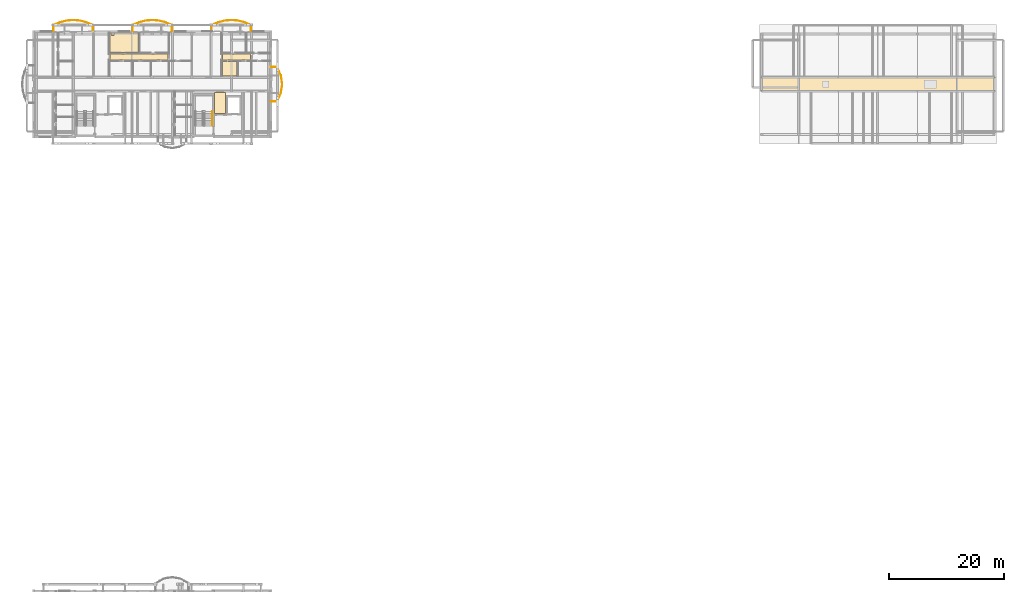
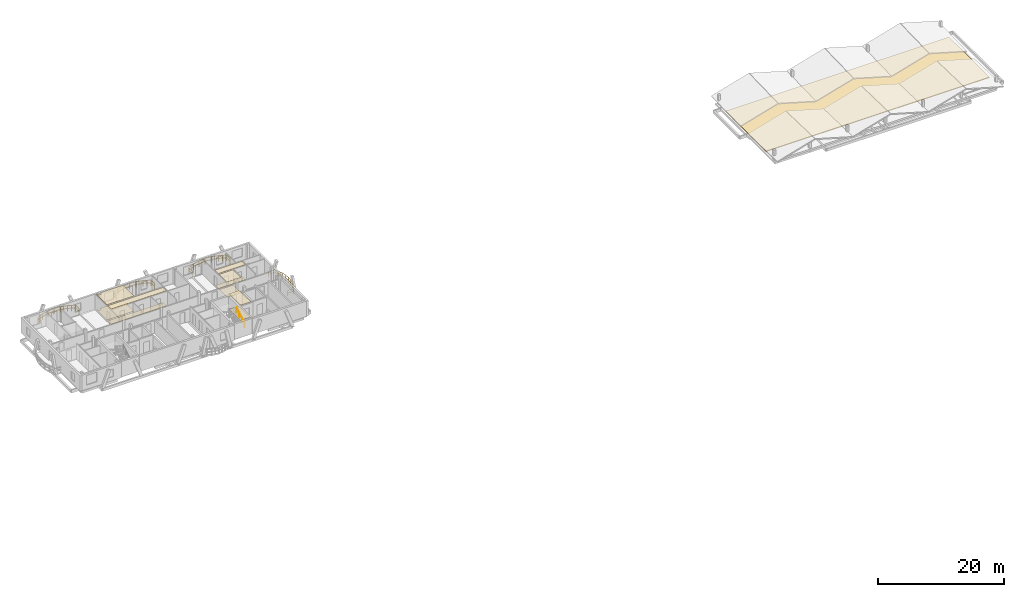
# One storey, part 21 of 21: 11 coverings, 5 railings.
"""IFC4 building model written with IfcOpenShell, lengths in metres."""

from ifc_helpers import new_model, si_unit, direction, frame, origin, origin_2d, place, context, subcontext, project, spatial, polyline, rectangle, outline, extrude, material, layer, layer_set, type_object, element, save


model = new_model("IFC4")

# Units and contexts
model_context = context("Model", 3, precision=1e-05, world=origin(), true_north=direction((0.0, 1.0)))
body_context = subcontext(model_context, "Body", "Model", "MODEL_VIEW")
ifc_project = project(units=[si_unit("LENGTHUNIT", "METRE"), si_unit("AREAUNIT", "SQUARE_METRE"), si_unit("VOLUMEUNIT", "CUBIC_METRE"), si_unit("PLANEANGLEUNIT", "RADIAN"), si_unit("MASSUNIT", "GRAM", prefix="KILO")], contexts=[model_context])

# Site, building, storey
site_placement = place(None, origin())
site = spatial("IfcSite", under=ifc_project, at=site_placement, CompositionType="ELEMENT")
building_placement = place(site_placement, origin())
building = spatial("IfcBuilding", under=site, at=building_placement, Name="Zavelmont Quarter", CompositionType="ELEMENT")
storey_placement = place(building_placement, frame((0.0, 0.0, 36.800048828125)))
storey = spatial("IfcBuildingStorey", under=building, at=storey_placement, Name="L11", CompositionType="ELEMENT", Elevation=36.800048828125)

# Coverings
ifc_material_1 = material(Name="Perforated acoustic gypsum board")
ifc_layer_1 = layer(ifc_material_1, 0.02490234375)
ifc_layer_set_1 = layer_set([ifc_layer_1], Name="Perforated acoustic gypsum board")
covering_type_1 = type_object("IfcCoveringType", Name="CV-CL01", PredefinedType="CEILING", material=ifc_layer_set_1)
covering_1_placement = place(storey_placement, frame((0.0, 0.0, 2.945068359375)))
element("IfcCovering", 1, at=covering_1_placement, inside=storey, type_object=covering_type_1, Name="L11 Lobby Vestibule acoustic ceiling", PredefinedType="CEILING", context=body_context, shape_type="SweptSolid", body=[
    extrude(outline(polyline([(31.580078125, 105.320068359375), (33.469970703125, 105.320068359375), (33.469970703125, 101.679931640625), (31.580078125, 101.679931640625), (31.580078125, 105.320068359375)])), origin(), (0.0, 0.0, 1.0), 0.02490234375),
])
covering_2_placement = place(storey_placement, frame((0.0, 0.0, 2.945068359375)))
element("IfcCovering", 2, at=covering_2_placement, inside=storey, type_object=covering_type_1, Name="L11 Single Bedroom acoustic ceiling", PredefinedType="CEILING", context=body_context, shape_type="SweptSolid", body=[
    extrude(outline(polyline([(13.330078125, 115.719970703125), (13.56005859375, 115.719970703125), (13.56005859375, 115.320068359375), (14.0400390625, 115.320068359375), (14.0400390625, 115.719970703125), (18.27001953125, 115.719970703125), (18.27001953125, 112.330078125), (13.330078125, 112.330078125), (13.330078125, 115.719970703125)])), origin(), (0.0, 0.0, 1.0), 0.02490234375),
])
covering_3_placement = place(storey_placement, frame((0.0, 0.0, 2.945068359375)))
element("IfcCovering", 3, at=covering_3_placement, inside=storey, type_object=covering_type_1, Name="L11 Kitchen acoustic ceiling", PredefinedType="CEILING", context=body_context, shape_type="SweptSolid", body=[
    extrude(outline(polyline([(32.929931640625, 110.719970703125), (35.469970703125, 110.719970703125), (35.469970703125, 108.22998046875), (34.739990234375, 108.22998046875), (34.739990234375, 108.239990234375), (34.260009765625, 108.239990234375), (34.260009765625, 108.22998046875), (32.929931640625, 108.22998046875), (32.929931640625, 110.719970703125)])), origin(), (0.0, 0.0, 1.0), 0.02490234375),
])
ifc_material_2 = material(Name="Slatted European ash acoustic baffle ceiling")
ifc_layer_2 = layer(ifc_material_2, 0.0400390625)
ifc_layer_set_2 = layer_set([ifc_layer_2], Name="Slatted European ash acoustic baffle ceiling")
covering_type_2 = type_object("IfcCoveringType", Name="CV-CL02", PredefinedType="CEILING", material=ifc_layer_set_2)
covering_4_placement = place(storey_placement, frame((0.0, 0.0, 2.929931640625)))
element("IfcCovering", 4, at=covering_4_placement, inside=storey, type_object=covering_type_2, Name="L11 Apartment Hall acoustic ceiling", PredefinedType="CEILING", context=body_context, shape_type="SweptSolid", body=[
    extrude(outline(polyline([(13.330078125, 112.070068359375), (23.469970703125, 112.070068359375), (23.469970703125, 110.97998046875), (13.330078125, 110.97998046875), (13.330078125, 112.070068359375)])), origin(), (0.0, 0.0, 1.0), 0.0400390625),
])
covering_5_placement = place(storey_placement, frame((0.0, 0.0, 2.929931640625)))
element("IfcCovering", 5, at=covering_5_placement, inside=storey, type_object=covering_type_2, Name="L11 Apartment Hall acoustic ceiling", PredefinedType="CEILING", context=body_context, shape_type="SweptSolid", body=[
    extrude(outline(polyline([(32.929931640625, 112.070068359375), (37.8701171875, 112.070068359375), (37.8701171875, 110.97998046875), (32.929931640625, 110.97998046875), (32.929931640625, 112.070068359375)])), origin(), (0.0, 0.0, 1.0), 0.0400390625),
])
ifc_material_3 = material(Name="Engineered European oak parquet")
ifc_layer_3 = layer(ifc_material_3, 0.02197265625)
ifc_layer_set_3 = layer_set([ifc_layer_3], Name="Engineered European oak parquet")
covering_type_3 = type_object("IfcCoveringType", Name="CV-FL01", PredefinedType="FLOORING", material=ifc_layer_set_3)
covering_6_placement = place(storey_placement, origin())
element("IfcCovering", 6, at=covering_6_placement, inside=storey, type_object=covering_type_3, Name="L11 Lobby Vestibule floor finish", PredefinedType="FLOORING", context=body_context, shape_type="SweptSolid", body=[
    extrude(outline(polyline([(31.580078125, 105.320068359375), (33.469970703125, 105.320068359375), (33.469970703125, 101.679931640625), (31.580078125, 101.679931640625), (31.580078125, 105.320068359375)])), origin(), (0.0, 0.0, 1.0), 0.02197265625),
])
covering_7_placement = place(storey_placement, origin())
element("IfcCovering", 7, at=covering_7_placement, inside=storey, type_object=covering_type_3, Name="L11 Single Bedroom floor finish", PredefinedType="FLOORING", context=body_context, shape_type="SweptSolid", body=[
    extrude(outline(polyline([(13.330078125, 115.719970703125), (13.56005859375, 115.719970703125), (13.56005859375, 115.320068359375), (14.0400390625, 115.320068359375), (14.0400390625, 115.719970703125), (18.27001953125, 115.719970703125), (18.27001953125, 112.330078125), (13.330078125, 112.330078125), (13.330078125, 115.719970703125)])), origin(), (0.0, 0.0, 1.0), 0.02197265625),
])
covering_8_placement = place(storey_placement, origin())
element("IfcCovering", 8, at=covering_8_placement, inside=storey, type_object=covering_type_3, Name="L11 Kitchen floor finish", PredefinedType="FLOORING", context=body_context, shape_type="SweptSolid", body=[
    extrude(outline(polyline([(32.929931640625, 110.719970703125), (35.469970703125, 110.719970703125), (35.469970703125, 108.22998046875), (34.739990234375, 108.22998046875), (34.739990234375, 108.239990234375), (34.260009765625, 108.239990234375), (34.260009765625, 108.22998046875), (32.929931640625, 108.22998046875), (32.929931640625, 110.719970703125)])), origin(), (0.0, 0.0, 1.0), 0.02197265625),
])
ifc_material_4 = material(Name="Honed Belgian bluestone tile", Category="masonry")
ifc_layer_4 = layer(ifc_material_4, 0.030029296875)
ifc_layer_set_4 = layer_set([ifc_layer_4], Name="Honed Belgian bluestone tile")
covering_type_4 = type_object("IfcCoveringType", Name="CV-FL02", PredefinedType="FLOORING", material=ifc_layer_set_4)
covering_9_placement = place(storey_placement, origin())
element("IfcCovering", 9, at=covering_9_placement, inside=storey, type_object=covering_type_4, Name="L11 Apartment Hall floor finish", PredefinedType="FLOORING", context=body_context, shape_type="SweptSolid", body=[
    extrude(outline(polyline([(13.330078125, 112.070068359375), (23.469970703125, 112.070068359375), (23.469970703125, 110.97998046875), (13.330078125, 110.97998046875), (13.330078125, 112.070068359375)])), origin(), (0.0, 0.0, 1.0), 0.030029296875),
])
covering_10_placement = place(storey_placement, origin())
element("IfcCovering", 10, at=covering_10_placement, inside=storey, type_object=covering_type_4, Name="L11 Apartment Hall floor finish", PredefinedType="FLOORING", context=body_context, shape_type="SweptSolid", body=[
    extrude(outline(polyline([(32.929931640625, 112.070068359375), (37.8701171875, 112.070068359375), (37.8701171875, 110.97998046875), (32.929931640625, 110.97998046875), (32.929931640625, 112.070068359375)])), origin(), (0.0, 0.0, 1.0), 0.030029296875),
])
ifc_material_5 = material(Name="EPDM waterproofing membrane and mineral insulation")
ifc_layer_5 = layer(ifc_material_5, 0.139892578125)
ifc_layer_set_5 = layer_set([ifc_layer_5], Name="EPDM waterproofing membrane and mineral insulation")
covering_type_5 = type_object("IfcCoveringType", Name="CV-RF01", PredefinedType="ROOFING", material=ifc_layer_set_5)
covering_11_placement = place(storey_placement, origin())
element("IfcCovering", 11, at=covering_11_placement, inside=storey, type_object=covering_type_5, Name="L11 roof build-up CV-RF01", PredefinedType="ROOFING", context=body_context, shape_type="SweptSolid", body=[
    extrude(outline(polyline([(126.89990234375, 100.39990234375), (167.699951171875, 100.39990234375), (167.699951171875, 113.199951171875), (126.89990234375, 113.199951171875), (126.89990234375, 100.39990234375)])), origin(), (0.0, 0.0, 1.0), 0.139892578125),
])

# Railings
ifc_material_6 = material(Name="Powder-coated steel and tempered double safety glass", Category="steel")
railing_type_1 = type_object("IfcRailingType", Name="RL-BAL1", PredefinedType="BALUSTRADE", material=ifc_material_6)
railing_1_placement = place(storey_placement, frame((10.33544921875, 116.02001953125, 0.0)))
element("IfcRailing", 12, at=railing_1_placement, inside=storey, type_object=railing_type_1, Name="L11 Block B curved balcony guard RL-BAL1", PredefinedType="BALUSTRADE", context=body_context, shape_type="SweptSolid", body=[
    extrude(rectangle(XDim=0.048095703125, YDim=0.048095703125, at=origin_2d()), frame((0.0, 0.0, 1.076171875), z_axis=(0.0, 1.0, 0.0), x_axis=(-1.0, 0.0, 0.0)), (0.0, 0.0, 1.0), 1.087646484375),
    extrude(rectangle(XDim=0.048095703125, YDim=0.048095703125, at=origin_2d()), frame((0.0, 0.0, 0.550048828125), z_axis=(0.0, 1.0, 0.0), x_axis=(-1.0, 0.0, 0.0)), (0.0, 0.0, 1.0), 1.087646484375),
    extrude(rectangle(XDim=0.048095703125, YDim=0.048095703125, at=origin_2d()), frame((0.0, 1.087646484375, 1.076171875), z_axis=(-0.921224538589, 0.3890312963, 0.0), x_axis=(-0.3890312963, -0.921224538589, 0.0)), (0.0, 0.0, 1.0), 1.2431640625),
    extrude(rectangle(XDim=0.048095703125, YDim=0.048095703125, at=origin_2d()), frame((0.0, 1.087646484375, 0.550048828125), z_axis=(-0.921224538589, 0.3890312963, 0.0), x_axis=(-0.3890312963, -0.921224538589, 0.0)), (0.0, 0.0, 1.0), 1.2431640625),
    extrude(rectangle(XDim=0.048095703125, YDim=0.048095703125, at=origin_2d()), frame((-1.145263671875, 1.5712890625, 1.076171875), z_axis=(-0.96938399758, 0.245549720496, 0.0), x_axis=(-0.245549720496, -0.96938399758, 0.0)), (0.0, 0.0, 1.0), 1.18115234375),
    extrude(rectangle(XDim=0.048095703125, YDim=0.048095703125, at=origin_2d()), frame((-1.145263671875, 1.5712890625, 0.550048828125), z_axis=(-0.96938399758, 0.245549720496, 0.0), x_axis=(-0.245549720496, -0.96938399758, 0.0)), (0.0, 0.0, 1.0), 1.18115234375),
    extrude(rectangle(XDim=0.048095703125, YDim=0.048095703125, at=origin_2d()), frame((-2.290283203125, 1.861328125, 1.076171875), z_axis=(-0.996455818964, 0.084117779644, 0.0), x_axis=(-0.084117779644, -0.996455818964, 0.0)), (0.0, 0.0, 1.0), 1.1494140625),
    extrude(rectangle(XDim=0.048095703125, YDim=0.048095703125, at=origin_2d()), frame((-2.290283203125, 1.861328125, 0.550048828125), z_axis=(-0.996455818964, 0.084117779644, 0.0), x_axis=(-0.084117779644, -0.996455818964, 0.0)), (0.0, 0.0, 1.0), 1.1494140625),
    extrude(rectangle(XDim=0.048095703125, YDim=0.048095703125, at=origin_2d()), frame((-3.435546875, 1.9580078125, 1.076171875), z_axis=(-0.996454315455, -0.084135588256, 0.0), x_axis=(0.084135588256, -0.996454315455, 0.0)), (0.0, 0.0, 1.0), 1.149169921875),
    extrude(rectangle(XDim=0.048095703125, YDim=0.048095703125, at=origin_2d()), frame((-3.435546875, 1.9580078125, 0.550048828125), z_axis=(-0.996454315455, -0.084135588256, 0.0), x_axis=(0.084135588256, -0.996454315455, 0.0)), (0.0, 0.0, 1.0), 1.149169921875),
    extrude(rectangle(XDim=0.048095703125, YDim=0.048095703125, at=origin_2d()), frame((-4.58056640625, 1.861328125, 1.076171875), z_axis=(-0.969396456241, -0.245500530807, 0.0), x_axis=(0.245500530807, -0.969396456241, 0.0)), (0.0, 0.0, 1.0), 1.181396484375),
    extrude(rectangle(XDim=0.048095703125, YDim=0.048095703125, at=origin_2d()), frame((-4.58056640625, 1.861328125, 0.550048828125), z_axis=(-0.969396456241, -0.245500530807, 0.0), x_axis=(0.245500530807, -0.969396456241, 0.0)), (0.0, 0.0, 1.0), 1.181396484375),
    extrude(rectangle(XDim=0.048095703125, YDim=0.048095703125, at=origin_2d()), frame((-5.725830078125, 1.5712890625, 1.076171875), z_axis=(-0.92119480913, -0.389101688035, 0.0), x_axis=(0.389101688035, -0.92119480913, 0.0)), (0.0, 0.0, 1.0), 1.242919921875),
    extrude(rectangle(XDim=0.048095703125, YDim=0.048095703125, at=origin_2d()), frame((-5.725830078125, 1.5712890625, 0.550048828125), z_axis=(-0.92119480913, -0.389101688035, 0.0), x_axis=(0.389101688035, -0.92119480913, 0.0)), (0.0, 0.0, 1.0), 1.242919921875),
    extrude(rectangle(XDim=0.048095703125, YDim=0.048095703125, at=origin_2d()), frame((-6.870849609375, 1.087646484375, 1.076171875), z_axis=(0.0, -1.0, 0.0), x_axis=(1.0, 0.0, 0.0)), (0.0, 0.0, 1.0), 1.087646484375),
    extrude(rectangle(XDim=0.048095703125, YDim=0.048095703125, at=origin_2d()), frame((-6.870849609375, 1.087646484375, 0.550048828125), z_axis=(0.0, -1.0, 0.0), x_axis=(1.0, 0.0, 0.0)), (0.0, 0.0, 1.0), 1.087646484375),
    extrude(rectangle(XDim=0.0419921875, YDim=0.0419921875, at=origin_2d()), origin(), (0.0, 0.0, 1.0), 1.052001953125),
    extrude(rectangle(XDim=0.0419921875, YDim=0.0419921875, at=origin_2d()), frame((0.0, 1.087646484375, 0.0)), (0.0, 0.0, 1.0), 1.052001953125),
    extrude(rectangle(XDim=0.0419921875, YDim=0.0419921875, at=origin_2d()), frame((-0.57275390625, 1.32958984375, 0.0)), (0.0, 0.0, 1.0), 1.052001953125),
    extrude(rectangle(XDim=0.0419921875, YDim=0.0419921875, at=origin_2d()), frame((-1.145263671875, 1.5712890625, 0.0)), (0.0, 0.0, 1.0), 1.052001953125),
    extrude(rectangle(XDim=0.0419921875, YDim=0.0419921875, at=origin_2d()), frame((-2.290283203125, 1.861328125, 0.0)), (0.0, 0.0, 1.0), 1.052001953125),
    extrude(rectangle(XDim=0.0419921875, YDim=0.0419921875, at=origin_2d()), frame((-3.435546875, 1.9580078125, 0.0)), (0.0, 0.0, 1.0), 1.052001953125),
    extrude(rectangle(XDim=0.0419921875, YDim=0.0419921875, at=origin_2d()), frame((-4.58056640625, 1.861328125, 0.0)), (0.0, 0.0, 1.0), 1.052001953125),
    extrude(rectangle(XDim=0.0419921875, YDim=0.0419921875, at=origin_2d()), frame((-5.725830078125, 1.5712890625, 0.0)), (0.0, 0.0, 1.0), 1.052001953125),
    extrude(rectangle(XDim=0.0419921875, YDim=0.0419921875, at=origin_2d()), frame((-6.29833984375, 1.32958984375, 0.0)), (0.0, 0.0, 1.0), 1.052001953125),
    extrude(rectangle(XDim=0.0419921875, YDim=0.0419921875, at=origin_2d()), frame((-6.870849609375, 1.087646484375, 0.0)), (0.0, 0.0, 1.0), 1.052001953125),
    extrude(rectangle(XDim=0.0419921875, YDim=0.0419921875, at=origin_2d()), frame((-6.870849609375, 0.0, 0.0)), (0.0, 0.0, 1.0), 1.052001953125),
])
railing_2_placement = place(storey_placement, frame((24.135498046875, 116.02001953125, 0.0)))
element("IfcRailing", 13, at=railing_2_placement, inside=storey, type_object=railing_type_1, Name="L11 Block B curved balcony guard RL-BAL1", PredefinedType="BALUSTRADE", context=body_context, shape_type="SweptSolid", body=[
    extrude(rectangle(XDim=0.048095703125, YDim=0.048095703125, at=origin_2d()), frame((0.0, 0.0, 1.076171875), z_axis=(0.0, 1.0, 0.0), x_axis=(-1.0, 0.0, 0.0)), (0.0, 0.0, 1.0), 1.087646484375),
    extrude(rectangle(XDim=0.048095703125, YDim=0.048095703125, at=origin_2d()), frame((0.0, 0.0, 0.550048828125), z_axis=(0.0, 1.0, 0.0), x_axis=(-1.0, 0.0, 0.0)), (0.0, 0.0, 1.0), 1.087646484375),
    extrude(rectangle(XDim=0.048095703125, YDim=0.048095703125, at=origin_2d()), frame((0.0, 1.087646484375, 1.076171875), z_axis=(-0.921224538589, 0.3890312963, 0.0), x_axis=(-0.3890312963, -0.921224538589, 0.0)), (0.0, 0.0, 1.0), 1.2431640625),
    extrude(rectangle(XDim=0.048095703125, YDim=0.048095703125, at=origin_2d()), frame((0.0, 1.087646484375, 0.550048828125), z_axis=(-0.921224538589, 0.3890312963, 0.0), x_axis=(-0.3890312963, -0.921224538589, 0.0)), (0.0, 0.0, 1.0), 1.2431640625),
    extrude(rectangle(XDim=0.048095703125, YDim=0.048095703125, at=origin_2d()), frame((-1.145263671875, 1.5712890625, 1.076171875), z_axis=(-0.96938399758, 0.245549720496, 0.0), x_axis=(-0.245549720496, -0.96938399758, 0.0)), (0.0, 0.0, 1.0), 1.18115234375),
    extrude(rectangle(XDim=0.048095703125, YDim=0.048095703125, at=origin_2d()), frame((-1.145263671875, 1.5712890625, 0.550048828125), z_axis=(-0.96938399758, 0.245549720496, 0.0), x_axis=(-0.245549720496, -0.96938399758, 0.0)), (0.0, 0.0, 1.0), 1.18115234375),
    extrude(rectangle(XDim=0.048095703125, YDim=0.048095703125, at=origin_2d()), frame((-2.290283203125, 1.861328125, 1.076171875), z_axis=(-0.996455818964, 0.084117779644, 0.0), x_axis=(-0.084117779644, -0.996455818964, 0.0)), (0.0, 0.0, 1.0), 1.1494140625),
    extrude(rectangle(XDim=0.048095703125, YDim=0.048095703125, at=origin_2d()), frame((-2.290283203125, 1.861328125, 0.550048828125), z_axis=(-0.996455818964, 0.084117779644, 0.0), x_axis=(-0.084117779644, -0.996455818964, 0.0)), (0.0, 0.0, 1.0), 1.1494140625),
    extrude(rectangle(XDim=0.048095703125, YDim=0.048095703125, at=origin_2d()), frame((-3.435546875, 1.9580078125, 1.076171875), z_axis=(-0.996455818964, -0.084117779644, 0.0), x_axis=(0.084117779644, -0.996455818964, 0.0)), (0.0, 0.0, 1.0), 1.1494140625),
    extrude(rectangle(XDim=0.048095703125, YDim=0.048095703125, at=origin_2d()), frame((-3.435546875, 1.9580078125, 0.550048828125), z_axis=(-0.996455818964, -0.084117779644, 0.0), x_axis=(0.084117779644, -0.996455818964, 0.0)), (0.0, 0.0, 1.0), 1.1494140625),
    extrude(rectangle(XDim=0.048095703125, YDim=0.048095703125, at=origin_2d()), frame((-4.580810546875, 1.861328125, 1.076171875), z_axis=(-0.96938399758, -0.245549720496, 0.0), x_axis=(0.245549720496, -0.96938399758, 0.0)), (0.0, 0.0, 1.0), 1.18115234375),
    extrude(rectangle(XDim=0.048095703125, YDim=0.048095703125, at=origin_2d()), frame((-4.580810546875, 1.861328125, 0.550048828125), z_axis=(-0.96938399758, -0.245549720496, 0.0), x_axis=(0.245549720496, -0.96938399758, 0.0)), (0.0, 0.0, 1.0), 1.18115234375),
    extrude(rectangle(XDim=0.048095703125, YDim=0.048095703125, at=origin_2d()), frame((-5.725830078125, 1.5712890625, 1.076171875), z_axis=(-0.921224538589, -0.3890312963, 0.0), x_axis=(0.3890312963, -0.921224538589, 0.0)), (0.0, 0.0, 1.0), 1.2431640625),
    extrude(rectangle(XDim=0.048095703125, YDim=0.048095703125, at=origin_2d()), frame((-5.725830078125, 1.5712890625, 0.550048828125), z_axis=(-0.921224538589, -0.3890312963, 0.0), x_axis=(0.3890312963, -0.921224538589, 0.0)), (0.0, 0.0, 1.0), 1.2431640625),
    extrude(rectangle(XDim=0.048095703125, YDim=0.048095703125, at=origin_2d()), frame((-6.87109375, 1.087646484375, 1.076171875), z_axis=(0.0, -1.0, 0.0), x_axis=(1.0, 0.0, 0.0)), (0.0, 0.0, 1.0), 1.087646484375),
    extrude(rectangle(XDim=0.048095703125, YDim=0.048095703125, at=origin_2d()), frame((-6.87109375, 1.087646484375, 0.550048828125), z_axis=(0.0, -1.0, 0.0), x_axis=(1.0, 0.0, 0.0)), (0.0, 0.0, 1.0), 1.087646484375),
    extrude(rectangle(XDim=0.0419921875, YDim=0.0419921875, at=origin_2d()), origin(), (0.0, 0.0, 1.0), 1.052001953125),
    extrude(rectangle(XDim=0.0419921875, YDim=0.0419921875, at=origin_2d()), frame((0.0, 1.087646484375, 0.0)), (0.0, 0.0, 1.0), 1.052001953125),
    extrude(rectangle(XDim=0.0419921875, YDim=0.0419921875, at=origin_2d()), frame((-0.57275390625, 1.32958984375, 0.0)), (0.0, 0.0, 1.0), 1.052001953125),
    extrude(rectangle(XDim=0.0419921875, YDim=0.0419921875, at=origin_2d()), frame((-1.145263671875, 1.5712890625, 0.0)), (0.0, 0.0, 1.0), 1.052001953125),
    extrude(rectangle(XDim=0.0419921875, YDim=0.0419921875, at=origin_2d()), frame((-2.290283203125, 1.861328125, 0.0)), (0.0, 0.0, 1.0), 1.052001953125),
    extrude(rectangle(XDim=0.0419921875, YDim=0.0419921875, at=origin_2d()), frame((-3.435546875, 1.9580078125, 0.0)), (0.0, 0.0, 1.0), 1.052001953125),
    extrude(rectangle(XDim=0.0419921875, YDim=0.0419921875, at=origin_2d()), frame((-4.580810546875, 1.861328125, 0.0)), (0.0, 0.0, 1.0), 1.052001953125),
    extrude(rectangle(XDim=0.0419921875, YDim=0.0419921875, at=origin_2d()), frame((-5.725830078125, 1.5712890625, 0.0)), (0.0, 0.0, 1.0), 1.052001953125),
    extrude(rectangle(XDim=0.0419921875, YDim=0.0419921875, at=origin_2d()), frame((-6.29833984375, 1.32958984375, 0.0)), (0.0, 0.0, 1.0), 1.052001953125),
    extrude(rectangle(XDim=0.0419921875, YDim=0.0419921875, at=origin_2d()), frame((-6.87109375, 1.087646484375, 0.0)), (0.0, 0.0, 1.0), 1.052001953125),
    extrude(rectangle(XDim=0.0419921875, YDim=0.0419921875, at=origin_2d()), frame((-6.87109375, 0.0, 0.0)), (0.0, 0.0, 1.0), 1.052001953125),
])
railing_3_placement = place(storey_placement, frame((37.935546875, 116.02001953125, 0.0)))
element("IfcRailing", 14, at=railing_3_placement, inside=storey, type_object=railing_type_1, Name="L11 Block B curved balcony guard RL-BAL1", PredefinedType="BALUSTRADE", context=body_context, shape_type="SweptSolid", body=[
    extrude(rectangle(XDim=0.048095703125, YDim=0.048095703125, at=origin_2d()), frame((0.0, 0.0, 1.076171875), z_axis=(0.0, 1.0, 0.0), x_axis=(-1.0, 0.0, 0.0)), (0.0, 0.0, 1.0), 1.087646484375),
    extrude(rectangle(XDim=0.048095703125, YDim=0.048095703125, at=origin_2d()), frame((0.0, 0.0, 0.550048828125), z_axis=(0.0, 1.0, 0.0), x_axis=(-1.0, 0.0, 0.0)), (0.0, 0.0, 1.0), 1.087646484375),
    extrude(rectangle(XDim=0.048095703125, YDim=0.048095703125, at=origin_2d()), frame((0.0, 1.087646484375, 1.076171875), z_axis=(-0.921224538589, 0.3890312963, 0.0), x_axis=(-0.3890312963, -0.921224538589, 0.0)), (0.0, 0.0, 1.0), 1.2431640625),
    extrude(rectangle(XDim=0.048095703125, YDim=0.048095703125, at=origin_2d()), frame((0.0, 1.087646484375, 0.550048828125), z_axis=(-0.921224538589, 0.3890312963, 0.0), x_axis=(-0.3890312963, -0.921224538589, 0.0)), (0.0, 0.0, 1.0), 1.2431640625),
    extrude(rectangle(XDim=0.048095703125, YDim=0.048095703125, at=origin_2d()), frame((-1.145263671875, 1.5712890625, 1.076171875), z_axis=(-0.96938399758, 0.245549720496, 0.0), x_axis=(-0.245549720496, -0.96938399758, 0.0)), (0.0, 0.0, 1.0), 1.18115234375),
    extrude(rectangle(XDim=0.048095703125, YDim=0.048095703125, at=origin_2d()), frame((-1.145263671875, 1.5712890625, 0.550048828125), z_axis=(-0.96938399758, 0.245549720496, 0.0), x_axis=(-0.245549720496, -0.96938399758, 0.0)), (0.0, 0.0, 1.0), 1.18115234375),
    extrude(rectangle(XDim=0.048095703125, YDim=0.048095703125, at=origin_2d()), frame((-2.290283203125, 1.861328125, 1.076171875), z_axis=(-0.996455818964, 0.084117779644, 0.0), x_axis=(-0.084117779644, -0.996455818964, 0.0)), (0.0, 0.0, 1.0), 1.1494140625),
    extrude(rectangle(XDim=0.048095703125, YDim=0.048095703125, at=origin_2d()), frame((-2.290283203125, 1.861328125, 0.550048828125), z_axis=(-0.996455818964, 0.084117779644, 0.0), x_axis=(-0.084117779644, -0.996455818964, 0.0)), (0.0, 0.0, 1.0), 1.1494140625),
    extrude(rectangle(XDim=0.048095703125, YDim=0.048095703125, at=origin_2d()), frame((-3.435546875, 1.9580078125, 1.076171875), z_axis=(-0.996455818964, -0.084117779644, 0.0), x_axis=(0.084117779644, -0.996455818964, 0.0)), (0.0, 0.0, 1.0), 1.1494140625),
    extrude(rectangle(XDim=0.048095703125, YDim=0.048095703125, at=origin_2d()), frame((-3.435546875, 1.9580078125, 0.550048828125), z_axis=(-0.996455818964, -0.084117779644, 0.0), x_axis=(0.084117779644, -0.996455818964, 0.0)), (0.0, 0.0, 1.0), 1.1494140625),
    extrude(rectangle(XDim=0.048095703125, YDim=0.048095703125, at=origin_2d()), frame((-4.580810546875, 1.861328125, 1.076171875), z_axis=(-0.96938399758, -0.245549720496, 0.0), x_axis=(0.245549720496, -0.96938399758, 0.0)), (0.0, 0.0, 1.0), 1.18115234375),
    extrude(rectangle(XDim=0.048095703125, YDim=0.048095703125, at=origin_2d()), frame((-4.580810546875, 1.861328125, 0.550048828125), z_axis=(-0.96938399758, -0.245549720496, 0.0), x_axis=(0.245549720496, -0.96938399758, 0.0)), (0.0, 0.0, 1.0), 1.18115234375),
    extrude(rectangle(XDim=0.048095703125, YDim=0.048095703125, at=origin_2d()), frame((-5.725830078125, 1.5712890625, 1.076171875), z_axis=(-0.921224538589, -0.3890312963, 0.0), x_axis=(0.3890312963, -0.921224538589, 0.0)), (0.0, 0.0, 1.0), 1.2431640625),
    extrude(rectangle(XDim=0.048095703125, YDim=0.048095703125, at=origin_2d()), frame((-5.725830078125, 1.5712890625, 0.550048828125), z_axis=(-0.921224538589, -0.3890312963, 0.0), x_axis=(0.3890312963, -0.921224538589, 0.0)), (0.0, 0.0, 1.0), 1.2431640625),
    extrude(rectangle(XDim=0.048095703125, YDim=0.048095703125, at=origin_2d()), frame((-6.87109375, 1.087646484375, 1.076171875), z_axis=(0.0, -1.0, 0.0), x_axis=(1.0, 0.0, 0.0)), (0.0, 0.0, 1.0), 1.087646484375),
    extrude(rectangle(XDim=0.048095703125, YDim=0.048095703125, at=origin_2d()), frame((-6.87109375, 1.087646484375, 0.550048828125), z_axis=(0.0, -1.0, 0.0), x_axis=(1.0, 0.0, 0.0)), (0.0, 0.0, 1.0), 1.087646484375),
    extrude(rectangle(XDim=0.0419921875, YDim=0.0419921875, at=origin_2d()), origin(), (0.0, 0.0, 1.0), 1.052001953125),
    extrude(rectangle(XDim=0.0419921875, YDim=0.0419921875, at=origin_2d()), frame((0.0, 1.087646484375, 0.0)), (0.0, 0.0, 1.0), 1.052001953125),
    extrude(rectangle(XDim=0.0419921875, YDim=0.0419921875, at=origin_2d()), frame((-0.57275390625, 1.32958984375, 0.0)), (0.0, 0.0, 1.0), 1.052001953125),
    extrude(rectangle(XDim=0.0419921875, YDim=0.0419921875, at=origin_2d()), frame((-1.145263671875, 1.5712890625, 0.0)), (0.0, 0.0, 1.0), 1.052001953125),
    extrude(rectangle(XDim=0.0419921875, YDim=0.0419921875, at=origin_2d()), frame((-2.290283203125, 1.861328125, 0.0)), (0.0, 0.0, 1.0), 1.052001953125),
    extrude(rectangle(XDim=0.0419921875, YDim=0.0419921875, at=origin_2d()), frame((-3.435546875, 1.9580078125, 0.0)), (0.0, 0.0, 1.0), 1.052001953125),
    extrude(rectangle(XDim=0.0419921875, YDim=0.0419921875, at=origin_2d()), frame((-4.580810546875, 1.861328125, 0.0)), (0.0, 0.0, 1.0), 1.052001953125),
    extrude(rectangle(XDim=0.0419921875, YDim=0.0419921875, at=origin_2d()), frame((-5.725830078125, 1.5712890625, 0.0)), (0.0, 0.0, 1.0), 1.052001953125),
    extrude(rectangle(XDim=0.0419921875, YDim=0.0419921875, at=origin_2d()), frame((-6.29833984375, 1.32958984375, 0.0)), (0.0, 0.0, 1.0), 1.052001953125),
    extrude(rectangle(XDim=0.0419921875, YDim=0.0419921875, at=origin_2d()), frame((-6.87109375, 1.087646484375, 0.0)), (0.0, 0.0, 1.0), 1.052001953125),
    extrude(rectangle(XDim=0.0419921875, YDim=0.0419921875, at=origin_2d()), frame((-6.87109375, 0.0, 0.0)), (0.0, 0.0, 1.0), 1.052001953125),
])
railing_4_placement = place(storey_placement, frame((41.419921875, 103.7919921875, 0.0)))
element("IfcRailing", 15, at=railing_4_placement, inside=storey, type_object=railing_type_1, Name="L11 Block B curved balcony guard RL-BAL1", PredefinedType="BALUSTRADE", context=body_context, shape_type="SweptSolid", body=[
    extrude(rectangle(XDim=0.048095703125, YDim=0.048095703125, at=origin_2d()), frame((0.0, 0.0, 1.076171875), z_axis=(1.0, 0.0, 0.0), x_axis=(0.0, 1.0, 0.0)), (0.0, 0.0, 1.0), 1.087890625),
    extrude(rectangle(XDim=0.048095703125, YDim=0.048095703125, at=origin_2d()), frame((0.0, 0.0, 0.550048828125), z_axis=(1.0, 0.0, 0.0), x_axis=(0.0, 1.0, 0.0)), (0.0, 0.0, 1.0), 1.087890625),
    extrude(rectangle(XDim=0.048095703125, YDim=0.048095703125, at=origin_2d()), frame((1.087890625, 0.0, 1.076171875), z_axis=(0.39806710791, 0.917356298065, 0.0), x_axis=(-0.917356298065, 0.39806710791, 0.0)), (0.0, 0.0, 1.0), 1.639404296875),
    extrude(rectangle(XDim=0.048095703125, YDim=0.048095703125, at=origin_2d()), frame((1.087890625, 0.0, 0.550048828125), z_axis=(0.39806710791, 0.917356298065, 0.0), x_axis=(-0.917356298065, 0.39806710791, 0.0)), (0.0, 0.0, 1.0), 1.639404296875),
    extrude(rectangle(XDim=0.048095703125, YDim=0.048095703125, at=origin_2d()), frame((1.740478515625, 1.50390625, 1.076171875), z_axis=(0.143130356437, 0.98970384513, 0.0), x_axis=(-0.98970384513, 0.143130356437, 0.0)), (0.0, 0.0, 1.0), 1.519775390625),
    extrude(rectangle(XDim=0.048095703125, YDim=0.048095703125, at=origin_2d()), frame((1.740478515625, 1.50390625, 0.550048828125), z_axis=(0.143130356437, 0.98970384513, 0.0), x_axis=(-0.98970384513, 0.143130356437, 0.0)), (0.0, 0.0, 1.0), 1.519775390625),
    extrude(rectangle(XDim=0.048095703125, YDim=0.048095703125, at=origin_2d()), frame((1.9580078125, 3.008056640625, 1.076171875), z_axis=(-0.143153115763, 0.989700553424, 0.0), x_axis=(-0.989700553424, -0.143153115763, 0.0)), (0.0, 0.0, 1.0), 1.51953125),
    extrude(rectangle(XDim=0.048095703125, YDim=0.048095703125, at=origin_2d()), frame((1.9580078125, 3.008056640625, 0.550048828125), z_axis=(-0.143153115763, 0.989700553424, 0.0), x_axis=(-0.989700553424, -0.143153115763, 0.0)), (0.0, 0.0, 1.0), 1.51953125),
    extrude(rectangle(XDim=0.048095703125, YDim=0.048095703125, at=origin_2d()), frame((1.740478515625, 4.511962890625, 1.076171875), z_axis=(-0.398012733078, 0.917379890944, 0.0), x_axis=(-0.917379890944, -0.398012733078, 0.0)), (0.0, 0.0, 1.0), 1.6396484375),
    extrude(rectangle(XDim=0.048095703125, YDim=0.048095703125, at=origin_2d()), frame((1.740478515625, 4.511962890625, 0.550048828125), z_axis=(-0.398012733078, 0.917379890944, 0.0), x_axis=(-0.917379890944, -0.398012733078, 0.0)), (0.0, 0.0, 1.0), 1.6396484375),
    extrude(rectangle(XDim=0.048095703125, YDim=0.048095703125, at=origin_2d()), frame((1.087890625, 6.01611328125, 1.076171875), z_axis=(-1.0, 0.0, 0.0), x_axis=(0.0, -1.0, 0.0)), (0.0, 0.0, 1.0), 1.087890625),
    extrude(rectangle(XDim=0.048095703125, YDim=0.048095703125, at=origin_2d()), frame((1.087890625, 6.01611328125, 0.550048828125), z_axis=(-1.0, 0.0, 0.0), x_axis=(0.0, -1.0, 0.0)), (0.0, 0.0, 1.0), 1.087890625),
    extrude(rectangle(XDim=0.0419921875, YDim=0.0419921875, at=origin_2d()), origin(), (0.0, 0.0, 1.0), 1.052001953125),
    extrude(rectangle(XDim=0.0419921875, YDim=0.0419921875, at=origin_2d()), frame((1.087890625, 0.0, 0.0)), (0.0, 0.0, 1.0), 1.052001953125),
    extrude(rectangle(XDim=0.0419921875, YDim=0.0419921875, at=origin_2d()), frame((1.4140625, 0.751953125, 0.0)), (0.0, 0.0, 1.0), 1.052001953125),
    extrude(rectangle(XDim=0.0419921875, YDim=0.0419921875, at=origin_2d()), frame((1.740478515625, 1.50390625, 0.0)), (0.0, 0.0, 1.0), 1.052001953125),
    extrude(rectangle(XDim=0.0419921875, YDim=0.0419921875, at=origin_2d()), frame((1.84912109375, 2.255859375, 0.0)), (0.0, 0.0, 1.0), 1.052001953125),
    extrude(rectangle(XDim=0.0419921875, YDim=0.0419921875, at=origin_2d()), frame((1.9580078125, 3.008056640625, 0.0)), (0.0, 0.0, 1.0), 1.052001953125),
    extrude(rectangle(XDim=0.0419921875, YDim=0.0419921875, at=origin_2d()), frame((1.84912109375, 3.760009765625, 0.0)), (0.0, 0.0, 1.0), 1.052001953125),
    extrude(rectangle(XDim=0.0419921875, YDim=0.0419921875, at=origin_2d()), frame((1.740478515625, 4.511962890625, 0.0)), (0.0, 0.0, 1.0), 1.052001953125),
    extrude(rectangle(XDim=0.0419921875, YDim=0.0419921875, at=origin_2d()), frame((1.4140625, 5.26416015625, 0.0)), (0.0, 0.0, 1.0), 1.052001953125),
    extrude(rectangle(XDim=0.0419921875, YDim=0.0419921875, at=origin_2d()), frame((1.087890625, 6.01611328125, 0.0)), (0.0, 0.0, 1.0), 1.052001953125),
    extrude(rectangle(XDim=0.0419921875, YDim=0.0419921875, at=origin_2d()), frame((0.0, 6.01611328125, 0.0)), (0.0, 0.0, 1.0), 1.052001953125),
])
ifc_material_7 = material(Name="Brushed stainless-steel wall handrail", Category="steel")
railing_type_2 = type_object("IfcRailingType", Name="RL-HND1", PredefinedType="HANDRAIL", material=ifc_material_7)
railing_5_placement = place(storey_placement, frame((31.14990234375, 99.550048828125, 0.177734375)))
element("IfcRailing", 16, at=railing_5_placement, inside=storey, type_object=railing_type_2, Name="L11 ST04 stair handrail 1", PredefinedType="HANDRAIL", context=body_context, shape_type="SweptSolid", body=[
    extrude(rectangle(XDim=0.048095703125, YDim=0.048095703125, at=origin_2d()), frame((0.0, 0.0, 0.8759765625), z_axis=(0.0, 0.867490628297, 0.497453525283), x_axis=(-1.0, 0.0, 0.0)), (0.0, 0.0, 1.0), 2.85888671875),
    extrude(rectangle(XDim=0.0419921875, YDim=0.0419921875, at=origin_2d()), origin(), (0.0, 0.0, 1.0), 0.851806640625),
    extrude(rectangle(XDim=0.0419921875, YDim=0.0419921875, at=origin_2d()), frame((0.0, 0.82666015625, 0.47412109375)), (0.0, 0.0, 1.0), 0.851806640625),
    extrude(rectangle(XDim=0.0419921875, YDim=0.0419921875, at=origin_2d()), frame((0.0, 1.6533203125, 0.947998046875)), (0.0, 0.0, 1.0), 0.851806640625),
    extrude(rectangle(XDim=0.0419921875, YDim=0.0419921875, at=origin_2d()), frame((0.0, 2.47998046875, 1.422119140625)), (0.0, 0.0, 1.0), 0.851806640625),
])

save(model, "model.ifc")
